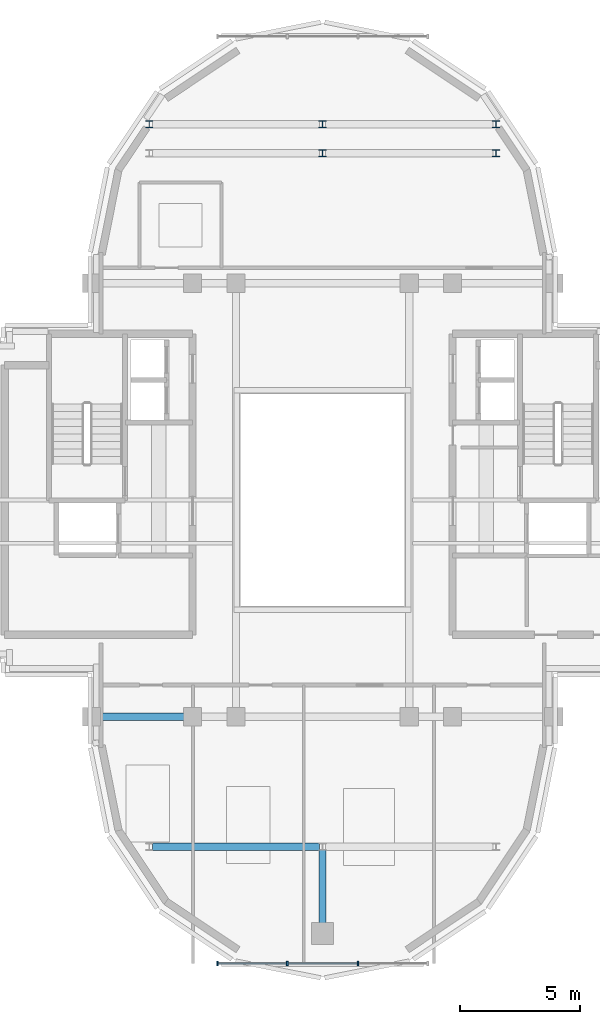
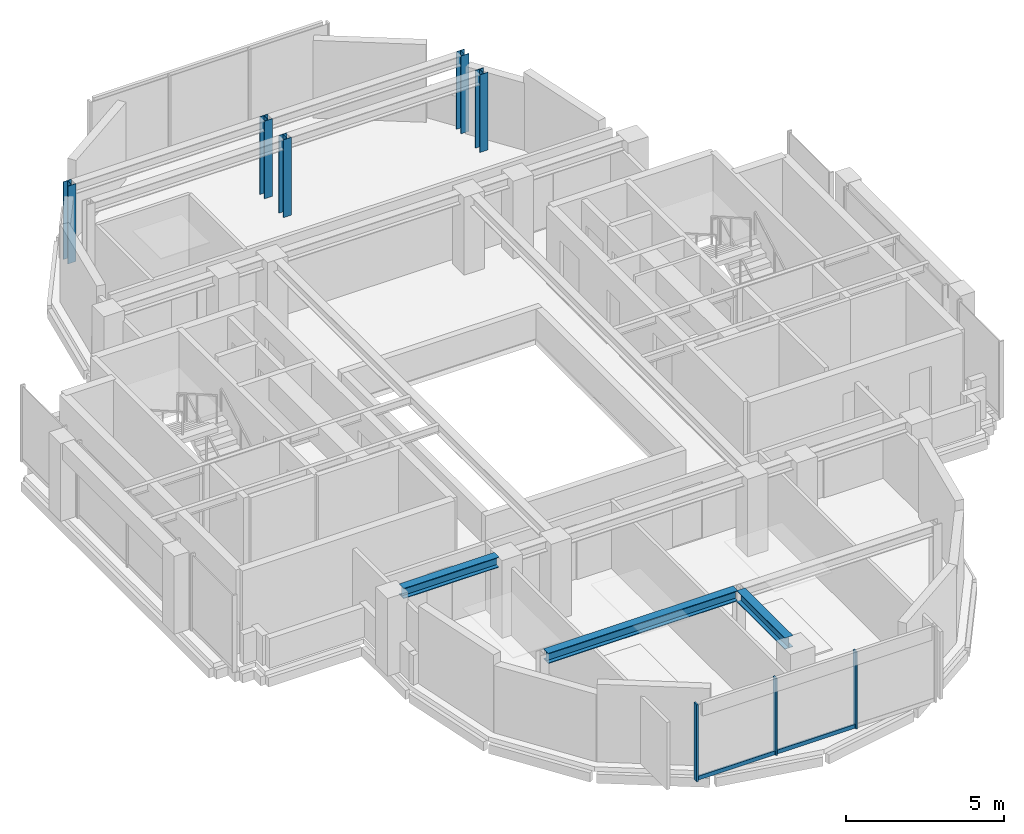
# One storey, part 2 of 10: 5 columns, 5 members, 3 beams, 1 element without a shape of its own.
"""IFC4 building model written with IfcOpenShell, lengths in metres."""

from ifc_helpers import new_model, si_unit, direction, frame, origin, origin_2d, place, context, subcontext, project, spatial, rectangle, i_section, extrude, source, transform, mapped, material, material_profile, profile_set, type_object, element, aggregate, save


model = new_model("IFC4")

# Units and contexts
model_context = context("Model", 3, precision=1e-05, world=origin(), true_north=direction((0.0, 1.0)))
body_context = subcontext(model_context, "Body", "Model", "MODEL_VIEW")
ifc_project = project(units=[si_unit("LENGTHUNIT", "METRE"), si_unit("AREAUNIT", "SQUARE_METRE"), si_unit("VOLUMEUNIT", "CUBIC_METRE"), si_unit("PLANEANGLEUNIT", "RADIAN"), si_unit("MASSUNIT", "GRAM", prefix="KILO")], contexts=[model_context])

# Site, building, storey
site_placement = place(None, origin())
site = spatial("IfcSite", under=ifc_project, at=site_placement, CompositionType="ELEMENT")
building_placement = place(site_placement, origin())
building = spatial("IfcBuilding", under=site, at=building_placement, Name="Keilestroom Media Tower", CompositionType="ELEMENT")
storey_placement = place(building_placement, frame((0.0, 0.0, 262.0)))
storey = spatial("IfcBuildingStorey", under=building, at=storey_placement, Name="L73", CompositionType="ELEMENT", Elevation=262.0)

# Columns
ifc_material_1 = material(Name="Steel S355", Category="steel")
ifc_material_profile_1 = material_profile(ifc_material_1, i_section(OverallWidth=0.300048828125, OverallDepth=0.300048828125, WebThickness=0.010986328125, FlangeThickness=0.01904296875, at=origin_2d()), Name="HEB 300")
ifc_profile_set_1 = profile_set([ifc_material_profile_1], Name="Steel S355")
column_type = type_object("IfcColumnType", Name="Structural-Column-HEB-300", PredefinedType="COLUMN", material=ifc_profile_set_1)
shared_shape_1 = source(origin(), body_context, "Body", "SweptSolid", [
    extrude(i_section(OverallWidth=0.300048828125, OverallDepth=0.300048828125, WebThickness=0.010986328125, FlangeThickness=0.01904296875, at=origin_2d()), origin(), (0.0, 0.0, 1.0), 3.010009765625),
])
for number, where, z_axis, x_axis, name in (
    (1, (-7.199951171875, 15.60009765625, 0.0), (0.0, 0.0, 1.0), (1.0, 0.0, 0.0), "L73 Column SC-5 (-7.2,+15.6)"),
    (2, (0.0, 14.39990234375, 0.0), (0.0, 0.0, 1.0), (1.0, 0.0, 0.0), "L73 Column SC-5 (+0.0,+14.4)"),
    (3, (0.0, 15.60009765625, 0.0), (0.0, 0.0, 1.0), (1.0, 0.0, 0.0), "L73 Column SC-5 (+0.0,+15.6)"),
    (4, (7.199951171875, 14.39990234375, 0.0), (0.0, 0.0, 1.0), (1.0, 0.0, 0.0), "L73 Column SC-5 (+7.2,+14.4)"),
    (5, (7.199951171875, 15.60009765625, 0.0), (0.0, 0.0, 1.0), (1.0, 0.0, 0.0), "L73 Column SC-5 (+7.2,+15.6)"),
):
    element("IfcColumn", number, at=place(storey_placement, frame(where, z_axis=z_axis, x_axis=x_axis)), inside=storey, type_object=column_type, Name=name, PredefinedType="COLUMN", context=body_context, shape_type="MappedRepresentation", body=[
        mapped(shared_shape_1, transform((0.0, 0.0, 0.0), x_axis=(1.0, 0.0, 0.0), y_axis=(0.0, 1.0, 0.0), z_axis=(0.0, 0.0, 1.0), scale=1.0)),
    ])

# Beams
ifc_material_profile_2 = material_profile(ifc_material_1, i_section(OverallWidth=0.300048828125, OverallDepth=0.39990234375, WebThickness=0.011474609375, FlangeThickness=0.02392578125, at=origin_2d()), Name="HEB 400")
ifc_profile_set_2 = profile_set([ifc_material_profile_2], Name="Steel S355")
beam_type_1 = type_object("IfcBeamType", Name="Primary-Structural-Girder-HEB-400", PredefinedType="BEAM", material=ifc_profile_set_2)
shared_shape_2 = source(origin(), body_context, "Body", "SweptSolid", [
    extrude(i_section(OverallWidth=0.300048828125, OverallDepth=0.39990234375, WebThickness=0.011474609375, FlangeThickness=0.02392578125, at=origin_2d()), origin(), (0.0, 0.0, 1.0), 6.940185546875),
])
beam_1_placement = place(storey_placement, frame((-7.070068359375, -14.39990234375, 2.81005859375), z_axis=(1.0, 0.0, 0.0), x_axis=(0.0, 1.0, 0.0)))
element("IfcBeam", 6, at=beam_1_placement, inside=storey, type_object=beam_type_1, Name="L73 Beam BG-8 BM-L73-EW-001", PredefinedType="BEAM", context=body_context, shape_type="MappedRepresentation", body=[
    mapped(shared_shape_2, transform((0.0, 0.0, 0.0), x_axis=(1.0, 0.0, 0.0), y_axis=(0.0, 1.0, 0.0), z_axis=(0.0, 0.0, 1.0), scale=1.0)),
])
shared_shape_3 = source(origin(), body_context, "Body", "SweptSolid", [
    extrude(i_section(OverallWidth=0.300048828125, OverallDepth=0.39990234375, WebThickness=0.011474609375, FlangeThickness=0.02392578125, at=origin_2d()), origin(), (0.0, 0.0, 1.0), 3.490234375),
])
beam_2_placement = place(storey_placement, frame((-9.2451171875, -9.0, 2.81005859375), z_axis=(1.0, 0.0, 0.0), x_axis=(0.0, 1.0, 0.0)))
element("IfcBeam", 7, at=beam_2_placement, inside=storey, type_object=beam_type_1, Name="L73 Beam BG-8 BM-L73-EW-003", PredefinedType="BEAM", context=body_context, shape_type="MappedRepresentation", body=[
    mapped(shared_shape_3, transform((0.0, 0.0, 0.0), x_axis=(1.0, 0.0, 0.0), y_axis=(0.0, 1.0, 0.0), z_axis=(0.0, 0.0, 1.0), scale=1.0)),
])
ifc_material_profile_3 = material_profile(ifc_material_1, i_section(OverallWidth=0.300048828125, OverallDepth=0.43994140625, WebThickness=0.011474609375, FlangeThickness=0.02099609375, at=origin_2d()), Name="HEA 450")
ifc_profile_set_3 = profile_set([ifc_material_profile_3], Name="Steel S355")
beam_type_2 = type_object("IfcBeamType", Name="Primary-Structural-Girder-HEA-450", PredefinedType="BEAM", material=ifc_profile_set_3)
shared_shape_4 = source(origin(), body_context, "Body", "SweptSolid", [
    extrude(i_section(OverallWidth=0.300048828125, OverallDepth=0.43994140625, WebThickness=0.011474609375, FlangeThickness=0.02099609375, at=origin_2d()), origin(), (0.0, 0.0, 1.0), 3.0400390625),
])
beam_3_placement = place(storey_placement, frame((0.0, -17.570068359375, 2.7900390625), z_axis=(0.0, 1.0, 0.0), x_axis=(-1.0, 0.0, 0.0)))
element("IfcBeam", 8, at=beam_3_placement, inside=storey, type_object=beam_type_2, Name="L73 Beam BG-11 BM-L73-NS-022", PredefinedType="BEAM", context=body_context, shape_type="MappedRepresentation", body=[
    mapped(shared_shape_4, transform((0.0, 0.0, 0.0), x_axis=(1.0, 0.0, 0.0), y_axis=(0.0, 1.0, 0.0), z_axis=(0.0, 0.0, 1.0), scale=1.0)),
])

# Curtain wall, members
ifc_material_2 = material(Name="Anodised Aluminium Alloy", Category="aluminium")
curtain_wall_type = type_object("IfcCurtainWallType", Name="Unitised-Curtain-Wall-CW-6", PredefinedType="NOTDEFINED", material=ifc_material_2)
curtain_wall_placement = place(storey_placement, origin())
curtain_wall = element("IfcCurtainWall", 9, at=curtain_wall_placement, inside=storey, type_object=curtain_wall_type, Name="L73 Curtain Wall CW-6 CW-L73-LS-1", PredefinedType="NOTDEFINED")
ifc_material_profile_4 = material_profile(ifc_material_2, rectangle(XDim=0.06494140625, YDim=0.179931640625, at=origin_2d()), Name="ALU MULLION 65x180")
ifc_profile_set_4 = profile_set([ifc_material_profile_4], Name="Anodised Aluminium Alloy")
member_type_1 = type_object("IfcMemberType", Name="Curtain-Wall-Mullion-CW-6", PredefinedType="MULLION", material=ifc_profile_set_4)
shared_shape_5 = source(origin(), body_context, "Body", "SweptSolid", [
    extrude(rectangle(XDim=0.06494140625, YDim=0.179931640625, at=origin_2d()), origin(), (0.0, 0.0, 1.0), 2.97998046875),
])
member_1_placement = place(storey_placement, frame((-4.367431640625, -19.25, 0.0), z_axis=(0.0, 0.0, 1.0), x_axis=(1.0, 0.0, 0.0)))
member_1 = element("IfcMember", 10, at=member_1_placement, type_object=member_type_1, Name="CW-6 Mullion 00", PredefinedType="MULLION", context=body_context, shape_type="MappedRepresentation", body=[
    mapped(shared_shape_5, transform((0.0, 0.0, 0.0), x_axis=(1.0, 0.0, 0.0), y_axis=(0.0, 1.0, 0.0), z_axis=(0.0, 0.0, 1.0), scale=1.0)),
])
member_2_placement = place(storey_placement, frame((-1.466796875, -19.25, 0.0), z_axis=(0.0, 0.0, 1.0), x_axis=(1.0, 0.0, 0.0)))
member_2 = element("IfcMember", 11, at=member_2_placement, type_object=member_type_1, Name="CW-6 Mullion 01", PredefinedType="MULLION", context=body_context, shape_type="MappedRepresentation", body=[
    mapped(shared_shape_5, transform((0.0, 0.0, 0.0), x_axis=(1.0, 0.0, 0.0), y_axis=(0.0, 1.0, 0.0), z_axis=(0.0, 0.0, 1.0), scale=1.0)),
])
member_3_placement = place(storey_placement, frame((1.466796875, -19.25, 0.0), z_axis=(0.0, 0.0, 1.0), x_axis=(1.0, 0.0, 0.0)))
member_3 = element("IfcMember", 12, at=member_3_placement, type_object=member_type_1, Name="CW-6 Mullion 02", PredefinedType="MULLION", context=body_context, shape_type="MappedRepresentation", body=[
    mapped(shared_shape_5, transform((0.0, 0.0, 0.0), x_axis=(1.0, 0.0, 0.0), y_axis=(0.0, 1.0, 0.0), z_axis=(0.0, 0.0, 1.0), scale=1.0)),
])
ifc_material_profile_5 = material_profile(ifc_material_2, rectangle(XDim=0.06494140625, YDim=0.14990234375, at=origin_2d()), Name="ALU TRANSOM 65x150")
ifc_profile_set_5 = profile_set([ifc_material_profile_5], Name="Anodised Aluminium Alloy")
member_type_2 = type_object("IfcMemberType", Name="Curtain-Wall-Transom-CW-6", PredefinedType="USERDEFINED", material=ifc_profile_set_5)
shared_shape_6 = source(origin(), body_context, "Body", "SweptSolid", [
    extrude(rectangle(XDim=0.06494140625, YDim=0.14990234375, at=origin_2d()), origin(), (0.0, 0.0, 1.0), 2.839599609375),
])
member_4_placement = place(storey_placement, frame((-4.3369140625, -19.25, 0.074951171875), z_axis=(1.0, 0.0, 0.0), x_axis=(0.0, 1.0, 0.0)))
member_4 = element("IfcMember", 13, at=member_4_placement, type_object=member_type_2, Name="CW-6 Transom 00.1", ObjectType="TRANSOM", PredefinedType="USERDEFINED", context=body_context, shape_type="MappedRepresentation", body=[
    mapped(shared_shape_6, transform((0.0, 0.0, 0.0), x_axis=(1.0, 0.0, 0.0), y_axis=(0.0, 1.0, 0.0), z_axis=(0.0, 0.0, 1.0), scale=1.0)),
])
shared_shape_7 = source(origin(), body_context, "Body", "SweptSolid", [
    extrude(rectangle(XDim=0.06494140625, YDim=0.14990234375, at=origin_2d()), origin(), (0.0, 0.0, 1.0), 2.87255859375),
])
member_5_placement = place(storey_placement, frame((-1.436279296875, -19.25, 0.074951171875), z_axis=(1.0, 0.0, 0.0), x_axis=(0.0, 1.0, 0.0)))
member_5 = element("IfcMember", 14, at=member_5_placement, type_object=member_type_2, Name="CW-6 Transom 01.1", ObjectType="TRANSOM", PredefinedType="USERDEFINED", context=body_context, shape_type="MappedRepresentation", body=[
    mapped(shared_shape_7, transform((0.0, 0.0, 0.0), x_axis=(1.0, 0.0, 0.0), y_axis=(0.0, 1.0, 0.0), z_axis=(0.0, 0.0, 1.0), scale=1.0)),
])
aggregate(curtain_wall, [member_1, member_2, member_3, member_4, member_5])

save(model, "model.ifc")
